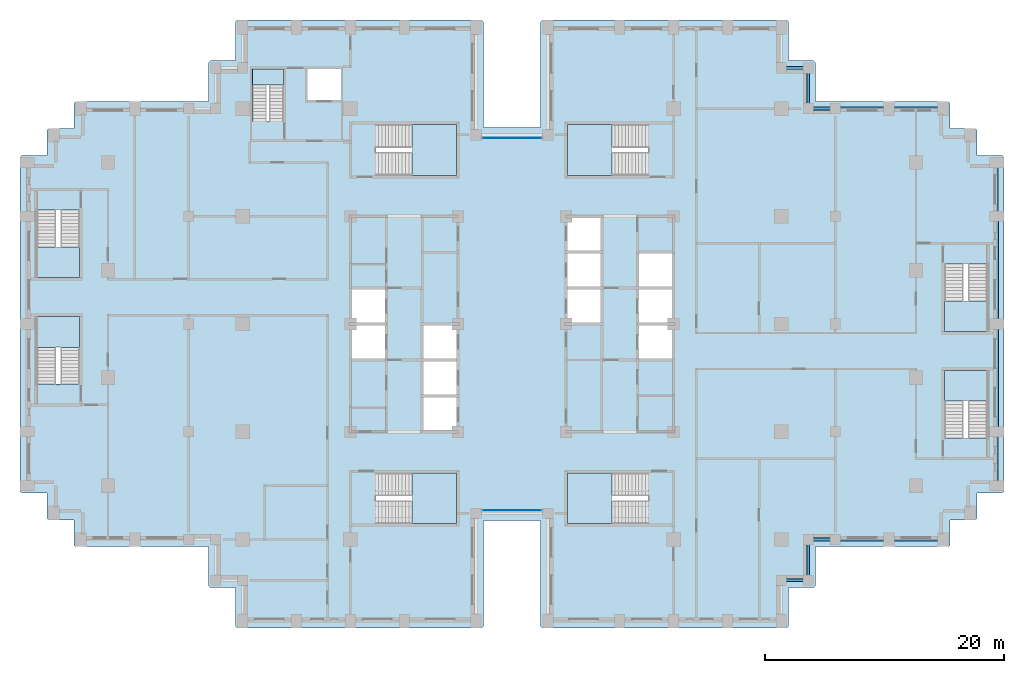
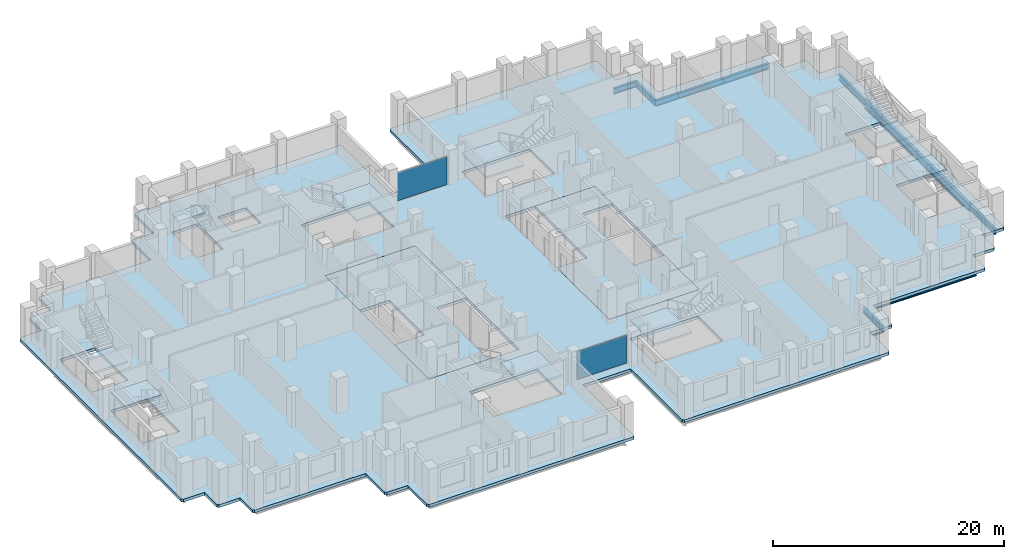
# One storey, part 5 of 16: 14 beams, 12 slabs, 2 plates, 11 elements without a shape of their own.
"""IFC4 building model written with IfcOpenShell, lengths in metres."""

import ifcopenshell
import ifcopenshell.guid

model = None  # the IFC model being written
_history = None  # IfcOwnerHistory: only IFC2X3 demands one
_inside = {}  # id of a spatial element -> (the spatial element, [elements in it])
_under = {}  # id of a project, library or spatial element -> (it, [spatial elements below it])
_declared = {}  # id of a project -> (the project, [libraries it declares])
_typed = {}  # id of a type object -> (the type object, [elements of that type])
_made_of = {}  # id of a material, layer set ... -> (it, [elements and type objects made of it])


def new_model(schema):
    """Start an empty IFC model of exactly this schema.

    Asked for "IFC4X3", IfcOpenShell would pick the latest addendum, in which some entities
    have other attributes; the version numbers below select the first issue.
    IFC2X3 requires an IfcOwnerHistory on every rooted entity: one is made here for all.
    """
    global model, _history
    if schema == "IFC4X3":
        model = ifcopenshell.file(schema_version=(4, 3, 0, 0))
    else:
        model = ifcopenshell.file(schema=schema)
    _inside.clear()
    _under.clear()
    _declared.clear()
    _typed.clear()
    _made_of.clear()
    _history = None
    if model.schema == "IFC2X3":
        org = make("IfcOrganization", Name="unknown")
        user = make(
            "IfcPersonAndOrganization",
            ThePerson=make("IfcPerson", FamilyName="unknown"),
            TheOrganization=org,
        )
        app = make(
            "IfcApplication",
            ApplicationDeveloper=org,
            Version="unknown",
            ApplicationFullName="unknown",
            ApplicationIdentifier="unknown",
        )
        _history = make(
            "IfcOwnerHistory",
            OwningUser=user,
            OwningApplication=app,
            ChangeAction="ADDED",
            CreationDate=0,
        )
    return model


def make(cls, **values):
    """One entity of the class cls with the attributes given. An attribute that is None is left unset."""
    return model.create_entity(
        cls, **{name: value for name, value in values.items() if value is not None}
    )


def rooted(cls, **values):
    """An entity with a GlobalId (a new one), such as an element, a storey or a relation."""
    return make(cls, GlobalId=ifcopenshell.guid.new(), OwnerHistory=_history, **values)


def si_unit(unit_type, name, prefix=None):
    """IfcSIUnit, for example si_unit("LENGTHUNIT", "METRE", prefix="MILLI")."""
    return make("IfcSIUnit", UnitType=unit_type, Prefix=prefix, Name=name)


def assignment(units):
    """IfcUnitAssignment: the units of a project."""
    return None if units is None else make("IfcUnitAssignment", Units=units)


def point(xyz):
    """IfcCartesianPoint."""
    return None if xyz is None else make("IfcCartesianPoint", Coordinates=xyz)


def direction(xyz):
    """IfcDirection."""
    return None if xyz is None else make("IfcDirection", DirectionRatios=xyz)


def frame(location, z_axis=None, x_axis=None):
    """IfcAxis2Placement3D, a coordinate frame: its origin and axes. An axis left out is left unset."""
    return make(
        "IfcAxis2Placement3D",
        Location=point(location),
        Axis=direction(z_axis),
        RefDirection=direction(x_axis),
    )


def frame_2d(location, x_axis=None):
    """IfcAxis2Placement2D, a coordinate frame in the plane: its origin and x axis."""
    return make(
        "IfcAxis2Placement2D", Location=point(location), RefDirection=direction(x_axis)
    )


def origin():
    """The frame at (0, 0, 0) with its axes left unset."""
    return frame((0.0, 0.0, 0.0))


def origin_2d():
    """The frame at (0, 0) in the plane with its x axis left unset."""
    return frame_2d((0.0, 0.0))


def place(relative_to, where):
    """IfcLocalPlacement: puts the frame where relative to a parent placement (None: the world)."""
    return make(
        "IfcLocalPlacement", PlacementRelTo=relative_to, RelativePlacement=where
    )


def context(
    kind, dimensions, precision=None, world=None, true_north=None, identifier=None
):
    """IfcGeometricRepresentationContext, for example the 3D "Model" context."""
    return make(
        "IfcGeometricRepresentationContext",
        ContextIdentifier=identifier,
        ContextType=kind,
        CoordinateSpaceDimension=dimensions,
        Precision=precision,
        WorldCoordinateSystem=world,
        TrueNorth=true_north,
    )


def subcontext(parent, identifier, kind, view, scale=None):
    """IfcGeometricRepresentationSubContext, for example "Body" below "Model"."""
    return make(
        "IfcGeometricRepresentationSubContext",
        ContextIdentifier=identifier,
        ContextType=kind,
        ParentContext=parent,
        TargetScale=scale,
        TargetView=view,
    )


def project(units=None, contexts=None):
    """IfcProject with its units and contexts."""
    return rooted(
        "IfcProject",
        Name="project",
        RepresentationContexts=contexts,
        UnitsInContext=assignment(units),
    )


def spatial(cls, under=None, at=None, **own):
    """A site, building, storey or space (cls), placed at a placement, below another one or the project."""
    s = rooted(cls, ObjectPlacement=at, **own)
    if under is not None:
        _under.setdefault(under.id(), (under, []))[1].append(s)
    return s


def polyline(points):
    """IfcPolyline through the points."""
    return make("IfcPolyline", Points=[point(p) for p in points])


def profile(cls, at=None, kind="AREA", **sizes):
    """A parametric profile (cls). Its sizes go by their IFC names, for example OverallWidth=200.0."""
    return make(cls, ProfileType=kind, Position=at, **sizes)


def rectangle(**sizes):
    """IfcRectangleProfileDef."""
    return profile("IfcRectangleProfileDef", **sizes)


def i_section(**sizes):
    """IfcIShapeProfileDef."""
    return profile("IfcIShapeProfileDef", **sizes)


def outline(outer, holes=None, kind="AREA"):
    """IfcArbitraryClosedProfileDef: a profile drawn as a closed curve; with holes, ...WithVoids."""
    if holes is None:
        return make("IfcArbitraryClosedProfileDef", ProfileType=kind, OuterCurve=outer)
    return make(
        "IfcArbitraryProfileDefWithVoids",
        ProfileType=kind,
        OuterCurve=outer,
        InnerCurves=holes,
    )


def extrude(swept, where, along, depth):
    """IfcExtrudedAreaSolid: the profile swept, set in the frame where, extruded along a direction by depth."""
    return make(
        "IfcExtrudedAreaSolid",
        SweptArea=swept,
        Position=where,
        ExtrudedDirection=direction(along),
        Depth=depth,
    )


def shape(context_of_items, identifier, shape_type, items):
    """IfcShapeRepresentation: the items that make up one representation, for example the "Body"."""
    return make(
        "IfcShapeRepresentation",
        ContextOfItems=context_of_items,
        RepresentationIdentifier=identifier,
        RepresentationType=shape_type,
        Items=items,
    )


def material(Name=None, Category=None):
    """IfcMaterial."""
    return make("IfcMaterial", Name=Name, Category=Category)


def layer(
    of_material, thickness, ventilated=None, Name=None, Category=None, Priority=None
):
    """IfcMaterialLayer: one layer of a wall or slab, of a material (None: an air gap)."""
    return make(
        "IfcMaterialLayer",
        Material=of_material,
        LayerThickness=thickness,
        IsVentilated=ventilated,
        Name=Name,
        Category=Category,
        Priority=Priority,
    )


def layer_set(layers, Name=None):
    """IfcMaterialLayerSet."""
    return make("IfcMaterialLayerSet", MaterialLayers=layers, LayerSetName=Name)


def material_profile(
    of_material, cross_section, Name=None, Category=None, Priority=None
):
    """IfcMaterialProfile: a cross section and its material."""
    return make(
        "IfcMaterialProfile",
        Name=Name,
        Material=of_material,
        Profile=cross_section,
        Priority=Priority,
        Category=Category,
    )


def profile_set(profiles, Name=None, composite=None):
    """IfcMaterialProfileSet."""
    return make(
        "IfcMaterialProfileSet",
        Name=Name,
        MaterialProfiles=profiles,
        CompositeProfile=composite,
    )


def made_of(thing, what):
    """Note that an element or type object is made of a material, layer set ...; save() writes the relation."""
    if what is not None:
        _made_of.setdefault(what.id(), (what, []))[1].append(thing)
    return thing


def type_object(cls, material=None, **own):
    """A type object (cls), such as IfcWallType, which elements share."""
    return made_of(rooted(cls, **own), material)


def element(
    cls,
    number,
    at=None,
    inside=None,
    cuts=None,
    type_object=None,
    material=None,
    context=None,
    identifier="Body",
    shape_type=None,
    held_by="IfcProductDefinitionShape",
    body=None,
    shapes=None,
    **own,
):
    """One element of the class cls, such as IfcWall. Its Tag is "e" and its number.

    at: its placement. inside: the storey or other place that contains it. cuts: it is an
    opening in that element (IfcRelVoidsElement). A single representation is given by context,
    identifier, shape_type and body (its items); several are given by shapes. held_by: the class
    of the entity that holds the representations. save() writes the other relations.
    """
    e = rooted(cls, Tag="e%d" % number, ObjectPlacement=at, **own)
    if body is not None:
        shapes = [shape(context, identifier, shape_type, body)]
    if shapes is not None:
        e.Representation = make(held_by, Representations=shapes)
    if inside is not None:
        _inside.setdefault(inside.id(), (inside, []))[1].append(e)
    if cuts is not None:
        rooted(
            "IfcRelVoidsElement", RelatingBuildingElement=cuts, RelatedOpeningElement=e
        )
    if type_object is not None:
        _typed.setdefault(type_object.id(), (type_object, []))[1].append(e)
    return made_of(e, material)


def aggregate(whole, parts):
    """IfcRelAggregates: a whole, such as a stair, and the parts it consists of."""
    return rooted("IfcRelAggregates", RelatingObject=whole, RelatedObjects=parts)


def save(model, path):
    """Write the relations noted so far, then the file.

    IfcRelAggregates (storeys below a building ...), IfcRelContainedInSpatialStructure (elements
    in a storey), IfcRelDefinesByType, IfcRelAssociatesMaterial and IfcRelDeclares: one each for
    every whole, place, type object, material and project.
    """
    for whole, parts in _under.values():
        aggregate(whole, parts)
    for where, things in _inside.values():
        rooted(
            "IfcRelContainedInSpatialStructure",
            RelatedElements=things,
            RelatingStructure=where,
        )
    for kind, things in _typed.values():
        rooted("IfcRelDefinesByType", RelatedObjects=things, RelatingType=kind)
    for what, things in _made_of.values():
        rooted("IfcRelAssociatesMaterial", RelatedObjects=things, RelatingMaterial=what)
    for by, libraries in _declared.values():
        rooted("IfcRelDeclares", RelatingContext=by, RelatedDefinitions=libraries)
    model.write(path)


model = new_model("IFC4")

# Units and contexts
model_context = context("Model", 3, precision=1e-05, world=origin(), true_north=direction((0.0, 1.0)))
body_context = subcontext(model_context, "Body", "Model", "MODEL_VIEW")
ifc_project = project(units=[si_unit("LENGTHUNIT", "METRE"), si_unit("AREAUNIT", "SQUARE_METRE"), si_unit("VOLUMEUNIT", "CUBIC_METRE"), si_unit("PLANEANGLEUNIT", "RADIAN"), si_unit("MASSUNIT", "GRAM", prefix="KILO")], contexts=[model_context])

# Site, building, storey
site_placement = place(None, origin())
site = spatial("IfcSite", under=ifc_project, at=site_placement, CompositionType="ELEMENT")
building_placement = place(site_placement, origin())
building = spatial("IfcBuilding", under=site, at=building_placement, Name="Corbelhall Arena Tower", CompositionType="ELEMENT")
storey_placement = place(building_placement, frame((0.0, 0.0, 76.0)))
storey = spatial("IfcBuildingStorey", under=building, at=storey_placement, Name="L11", CompositionType="ELEMENT", Elevation=76.0)

# Beams
ifc_material_1 = material(Name="Steel ASTM A992 Gr50", Category="steel")
ifc_material_profile_1 = material_profile(ifc_material_1, i_section(OverallWidth=0.23046875, OverallDepth=0.6171875, WebThickness=0.01318359375, FlangeThickness=0.022216796875, at=origin_2d()))
ifc_profile_set_1 = profile_set([ifc_material_profile_1], Name="Steel ASTM A992 Gr50")
beam_type_1 = type_object("IfcBeamType", Name="ST-SPANDREL-W24x94", PredefinedType="SPANDREL", material=ifc_profile_set_1)
for number, where, z_axis, x_axis, name in (
    (1, (40.5, 13.5, -0.608642578125), (0.0, -1.0, 0.0), (1.0, 0.0, 0.0), "Beam SP 10"),
    (2, (40.5, -9.0, -0.608642578125), (0.0, -1.0, 0.0), (1.0, 0.0, 0.0), "Beam SP 11"),
    (3, (31.5, 18.0, -0.608642578125), (1.0, 0.0, 0.0), (0.0, 1.0, 0.0), "Beam SP 12"),
    (4, (31.5, -18.0, -0.608642578125), (-1.0, 0.0, 0.0), (0.0, -1.0, 0.0), "Beam SP 13"),
    (5, (36.0, -18.0, -0.608642578125), (-1.0, 0.0, 0.0), (0.0, -1.0, 0.0), "Beam SP 14"),
    (6, (27.0, 18.0, -0.608642578125), (1.0, 0.0, 0.0), (0.0, 1.0, 0.0), "Beam SP 15"),
):
    element("IfcBeam", number, at=place(storey_placement, frame(where, z_axis=z_axis, x_axis=x_axis)), inside=storey, type_object=beam_type_1, Name=name, PredefinedType="SPANDREL", context=body_context, shape_type="SweptSolid", body=[
        extrude(i_section(OverallWidth=0.23046875, OverallDepth=0.6171875, WebThickness=0.01318359375, FlangeThickness=0.022216796875, at=origin_2d()), origin(), (0.0, 0.0, 1.0), 4.5),
    ])
for number, where, z_axis, x_axis, name in (
    (7, (27.0, -18.0, -0.608642578125), (-1.0, 0.0, 0.0), (0.0, -1.0, 0.0), "Beam SP 16"),
    (8, (22.5, 21.39990234375, -0.608642578125), (1.0, 0.0, 0.0), (0.0, 1.0, 0.0), "Beam SP 43"),
):
    element("IfcBeam", number, at=place(storey_placement, frame(where, z_axis=z_axis, x_axis=x_axis)), inside=storey, type_object=beam_type_1, Name=name, PredefinedType="SPANDREL", context=body_context, shape_type="SweptSolid", body=[
        extrude(i_section(OverallWidth=0.23046875, OverallDepth=0.6171875, WebThickness=0.01318359375, FlangeThickness=0.022216796875, at=origin_2d()), origin(), (0.0, 0.0, 1.0), 2.25),
    ])
beam_1_placement = place(storey_placement, frame((24.75, 21.39990234375, -0.608642578125), z_axis=(0.0, -1.0, 0.0), x_axis=(1.0, 0.0, 0.0)))
element("IfcBeam", 9, at=beam_1_placement, inside=storey, type_object=beam_type_1, Name="Beam SP 44", PredefinedType="SPANDREL", context=body_context, shape_type="SweptSolid", body=[
    extrude(i_section(OverallWidth=0.23046875, OverallDepth=0.6171875, WebThickness=0.01318359375, FlangeThickness=0.022216796875, at=origin_2d()), origin(), (0.0, 0.0, 1.0), 3.39990234375),
])
for number, where, z_axis, x_axis, name in (
    (10, (24.75, 18.0, -0.608642578125), (1.0, 0.0, 0.0), (0.0, 1.0, 0.0), "Beam SP 45"),
    (11, (24.75, -21.39990234375, -0.608642578125), (-1.0, 0.0, 0.0), (0.0, -1.0, 0.0), "Beam SP 50"),
):
    element("IfcBeam", number, at=place(storey_placement, frame(where, z_axis=z_axis, x_axis=x_axis)), inside=storey, type_object=beam_type_1, Name=name, PredefinedType="SPANDREL", context=body_context, shape_type="SweptSolid", body=[
        extrude(i_section(OverallWidth=0.23046875, OverallDepth=0.6171875, WebThickness=0.01318359375, FlangeThickness=0.022216796875, at=origin_2d()), origin(), (0.0, 0.0, 1.0), 2.25),
    ])
beam_2_placement = place(storey_placement, frame((24.75, -18.0, -0.608642578125), z_axis=(0.0, -1.0, 0.0), x_axis=(1.0, 0.0, 0.0)))
element("IfcBeam", 12, at=beam_2_placement, inside=storey, type_object=beam_type_1, Name="Beam SP 51", PredefinedType="SPANDREL", context=body_context, shape_type="SweptSolid", body=[
    extrude(i_section(OverallWidth=0.23046875, OverallDepth=0.6171875, WebThickness=0.01318359375, FlangeThickness=0.022216796875, at=origin_2d()), origin(), (0.0, 0.0, 1.0), 3.39990234375),
])
ifc_material_profile_2 = material_profile(ifc_material_1, i_section(OverallWidth=0.2919921875, OverallDepth=0.845703125, WebThickness=0.015380859375, FlangeThickness=0.0244140625, at=origin_2d()))
ifc_profile_set_2 = profile_set([ifc_material_profile_2], Name="Steel ASTM A992 Gr50")
beam_type_2 = type_object("IfcBeamType", Name="ST-SPANDREL-W33x141", PredefinedType="SPANDREL", material=ifc_profile_set_2)
for number, where, z_axis, x_axis, name in (
    (13, (40.5, 0.0, -0.722900390625), (0.0, -1.0, 0.0), (1.0, 0.0, 0.0), "Beam SP 8"),
    (14, (40.5, 9.0, -0.722900390625), (0.0, -1.0, 0.0), (1.0, 0.0, 0.0), "Beam SP 9"),
):
    element("IfcBeam", number, at=place(storey_placement, frame(where, z_axis=z_axis, x_axis=x_axis)), inside=storey, type_object=beam_type_2, Name=name, PredefinedType="SPANDREL", context=body_context, shape_type="SweptSolid", body=[
        extrude(i_section(OverallWidth=0.2919921875, OverallDepth=0.845703125, WebThickness=0.015380859375, FlangeThickness=0.0244140625, at=origin_2d()), origin(), (0.0, 0.0, 1.0), 9.0),
    ])

# Curtain wall, plate
ifc_material_2 = material(Name="Aluminium black anodised", Category="aluminium")
ifc_layer_1 = layer(ifc_material_2, 0.199951171875)
ifc_layer_set_1 = layer_set([ifc_layer_1], Name="EV-CW1 Slot back wall")
curtain_wall_type = type_object("IfcCurtainWallType", Name="EV-CW1 Slot back wall", PredefinedType="NOTDEFINED", material=ifc_layer_set_1)
curtain_wall_1_placement = place(storey_placement, origin())
curtain_wall_1 = element("IfcCurtainWall", 15, at=curtain_wall_1_placement, inside=storey, type_object=curtain_wall_type, Name="Curtain wall CW1", PredefinedType="NOTDEFINED")
ifc_material_3 = material(Name="Glass dark tinted laminated", Category="glass")
ifc_layer_2 = layer(ifc_material_3, 0.028076171875)
ifc_layer_set_2 = layer_set([ifc_layer_2], Name="EV-CW1-PANEL")
plate_type = type_object("IfcPlateType", Name="EV-CW1-PANEL", PredefinedType="CURTAIN_PANEL", material=ifc_layer_set_2)
plate_1_placement = place(storey_placement, frame((0.0, -15.550048828125, 0.0751953125), z_axis=(0.0, 0.0, 1.0), x_axis=(1.0, 0.0, 0.0)))
plate_1 = element("IfcPlate", 16, at=plate_1_placement, type_object=plate_type, Name="CW1 panel 1.1", PredefinedType="CURTAIN_PANEL", context=body_context, shape_type="SweptSolid", body=[
    extrude(rectangle(XDim=4.949951171875, YDim=0.028076171875, at=origin_2d()), origin(), (0.0, 0.0, 1.0), 2.949951171875),
])
aggregate(curtain_wall_1, [plate_1])

curtain_wall_2_placement = place(storey_placement, origin())
curtain_wall_2 = element("IfcCurtainWall", 17, at=curtain_wall_2_placement, inside=storey, type_object=curtain_wall_type, Name="Curtain wall CW1", PredefinedType="NOTDEFINED")
plate_2_placement = place(storey_placement, frame((0.0, 15.550048828125, 0.0751953125), z_axis=(0.0, 0.0, 1.0), x_axis=(-1.0, 0.0, 0.0)))
plate_2 = element("IfcPlate", 18, at=plate_2_placement, type_object=plate_type, Name="CW1 panel 1.1", PredefinedType="CURTAIN_PANEL", context=body_context, shape_type="SweptSolid", body=[
    extrude(rectangle(XDim=4.949951171875, YDim=0.028076171875, at=origin_2d()), origin(), (0.0, 0.0, 1.0), 2.949951171875),
])
aggregate(curtain_wall_2, [plate_2])

# Slabs
ifc_material_4 = material(Name="Concrete C40/50", Category="concrete")
ifc_layer_3 = layer(ifc_material_4, 0.300048828125)
ifc_layer_set_3 = layer_set([ifc_layer_3], Name="IN-SL-CORE")
slab_type_1 = type_object("IfcSlabType", Name="IN-SL-CORE", PredefinedType="FLOOR", material=ifc_layer_set_3)
slab_1_placement = place(storey_placement, frame((0.0, 0.0, -0.300048828125)))
element("IfcSlab", 19, at=slab_1_placement, inside=storey, type_object=slab_type_1, Name="Core floor W", PredefinedType="FLOOR", context=body_context, shape_type="SweptSolid", body=[
    extrude(outline(polyline([(-7.5, 0.0), (-4.5, 0.0), (-4.5, 9.0), (-13.5, 9.0), (-13.5, 3.0), (-10.5, 3.0), (-10.5, 0.0), (-10.5, -3.0), (-13.5, -3.0), (-13.5, -9.0), (-7.5, -9.0), (-7.5, -6.0), (-7.5, -3.0), (-7.5, 0.0)])), origin(), (0.0, 0.0, 1.0), 0.300048828125),
])
slab_2_placement = place(storey_placement, frame((0.0, 0.0, -0.300048828125)))
element("IfcSlab", 20, at=slab_2_placement, inside=storey, type_object=slab_type_1, Name="Core floor E", PredefinedType="FLOOR", context=body_context, shape_type="SweptSolid", body=[
    extrude(outline(polyline([(7.5, 0.0), (4.5, 0.0), (4.5, -9.0), (13.5, -9.0), (13.5, -3.0), (10.5, -3.0), (10.5, 0.0), (10.5, 3.0), (10.5, 6.0), (13.5, 6.0), (13.5, 9.0), (7.5, 9.0), (7.5, 6.0), (7.5, 3.0), (7.5, 0.0)])), origin(), (0.0, 0.0, 1.0), 0.300048828125),
])

# Stair, slab
stair_type = type_object("IfcStairType", Name="IN-ST-TOWER", PredefinedType="HALF_TURN_STAIR", material=ifc_material_4)
stair_1_placement = place(storey_placement, origin())
stair_1 = element("IfcStair", 21, at=stair_1_placement, inside=storey, type_object=stair_type, Name="L11 Exit stair ST1", PredefinedType="HALF_TURN_STAIR")
ifc_layer_4 = layer(ifc_material_4, 0.199951171875)
ifc_layer_set_4 = layer_set([ifc_layer_4], Name="IN-SL-LANDING")
slab_type_2 = type_object("IfcSlabType", Name="IN-SL-LANDING", PredefinedType="LANDING", material=ifc_layer_set_4)
slab_3_placement = place(storey_placement, frame((0.0, 0.0, 1.800048828125)))
slab_3 = element("IfcSlab", 22, at=slab_3_placement, type_object=slab_type_2, Name="ST1 landing 1", PredefinedType="LANDING", context=body_context, shape_type="SweptSolid", body=[
    extrude(outline(polyline([(-8.344970703125, 12.425048828125), (-4.625, 12.425048828125), (-4.625, 16.675048828125), (-8.344970703125, 16.675048828125), (-8.344970703125, 12.425048828125)])), origin(), (0.0, 0.0, 1.0), 0.199951171875),
])
aggregate(stair_1, [slab_3])

stair_2_placement = place(storey_placement, origin())
stair_2 = element("IfcStair", 23, at=stair_2_placement, inside=storey, type_object=stair_type, Name="L11 Exit stair ST2", PredefinedType="HALF_TURN_STAIR")
slab_4_placement = place(storey_placement, frame((0.0, 0.0, 1.800048828125)))
slab_4 = element("IfcSlab", 24, at=slab_4_placement, type_object=slab_type_2, Name="ST2 landing 1", PredefinedType="LANDING", context=body_context, shape_type="SweptSolid", body=[
    extrude(outline(polyline([(-8.344970703125, -16.675048828125), (-4.625, -16.675048828125), (-4.625, -12.425048828125), (-8.344970703125, -12.425048828125), (-8.344970703125, -16.675048828125)])), origin(), (0.0, 0.0, 1.0), 0.199951171875),
])
aggregate(stair_2, [slab_4])

stair_3_placement = place(storey_placement, origin())
stair_3 = element("IfcStair", 25, at=stair_3_placement, inside=storey, type_object=stair_type, Name="L11 Exit stair ST3", PredefinedType="HALF_TURN_STAIR")
slab_5_placement = place(storey_placement, frame((0.0, 0.0, 1.800048828125)))
slab_5 = element("IfcSlab", 26, at=slab_5_placement, type_object=slab_type_2, Name="ST3 landing 1", PredefinedType="LANDING", context=body_context, shape_type="SweptSolid", body=[
    extrude(outline(polyline([(8.344970703125, 16.675048828125), (4.625, 16.675048828125), (4.625, 12.425048828125), (8.344970703125, 12.425048828125), (8.344970703125, 16.675048828125)])), origin(), (0.0, 0.0, 1.0), 0.199951171875),
])
aggregate(stair_3, [slab_5])

stair_4_placement = place(storey_placement, origin())
stair_4 = element("IfcStair", 27, at=stair_4_placement, inside=storey, type_object=stair_type, Name="L11 Exit stair ST4", PredefinedType="HALF_TURN_STAIR")
slab_6_placement = place(storey_placement, frame((0.0, 0.0, 1.800048828125)))
slab_6 = element("IfcSlab", 28, at=slab_6_placement, type_object=slab_type_2, Name="ST4 landing 1", PredefinedType="LANDING", context=body_context, shape_type="SweptSolid", body=[
    extrude(outline(polyline([(8.344970703125, -12.425048828125), (4.625, -12.425048828125), (4.625, -16.675048828125), (8.344970703125, -16.675048828125), (8.344970703125, -12.425048828125)])), origin(), (0.0, 0.0, 1.0), 0.199951171875),
])
aggregate(stair_4, [slab_6])

stair_5_placement = place(storey_placement, origin())
stair_5 = element("IfcStair", 29, at=stair_5_placement, inside=storey, type_object=stair_type, Name="L11 Exit stair SC1", PredefinedType="HALF_TURN_STAIR")
slab_7_placement = place(storey_placement, frame((0.0, 0.0, 1.800048828125)))
slab_7 = element("IfcSlab", 30, at=slab_7_placement, type_object=slab_type_2, Name="SC1 landing 1", PredefinedType="LANDING", context=body_context, shape_type="SweptSolid", body=[
    extrude(outline(polyline([(-39.699951171875, 6.445068359375), (-39.699951171875, 3.875), (-36.125, 3.875), (-36.125, 6.445068359375), (-39.699951171875, 6.445068359375)])), origin(), (0.0, 0.0, 1.0), 0.199951171875),
])
aggregate(stair_5, [slab_7])

stair_6_placement = place(storey_placement, origin())
stair_6 = element("IfcStair", 31, at=stair_6_placement, inside=storey, type_object=stair_type, Name="L11 Exit stair SC2", PredefinedType="HALF_TURN_STAIR")
slab_8_placement = place(storey_placement, frame((0.0, 0.0, 1.800048828125)))
slab_8 = element("IfcSlab", 32, at=slab_8_placement, type_object=slab_type_2, Name="SC2 landing 1", PredefinedType="LANDING", context=body_context, shape_type="SweptSolid", body=[
    extrude(outline(polyline([(-36.125, -1.945068359375), (-36.125, 0.625), (-39.699951171875, 0.625), (-39.699951171875, -1.945068359375), (-36.125, -1.945068359375)])), origin(), (0.0, 0.0, 1.0), 0.199951171875),
])
aggregate(stair_6, [slab_8])

stair_7_placement = place(storey_placement, origin())
stair_7 = element("IfcStair", 33, at=stair_7_placement, inside=storey, type_object=stair_type, Name="L11 Exit stair SD1", PredefinedType="HALF_TURN_STAIR")
slab_9_placement = place(storey_placement, frame((0.0, 0.0, 1.800048828125)))
slab_9 = element("IfcSlab", 34, at=slab_9_placement, type_object=slab_type_2, Name="SD1 landing 1", PredefinedType="LANDING", context=body_context, shape_type="SweptSolid", body=[
    extrude(outline(polyline([(39.699951171875, -6.445068359375), (39.699951171875, -3.875), (36.125, -3.875), (36.125, -6.445068359375), (39.699951171875, -6.445068359375)])), origin(), (0.0, 0.0, 1.0), 0.199951171875),
])
aggregate(stair_7, [slab_9])

stair_8_placement = place(storey_placement, origin())
stair_8 = element("IfcStair", 35, at=stair_8_placement, inside=storey, type_object=stair_type, Name="L11 Exit stair SD2", PredefinedType="HALF_TURN_STAIR")
slab_10_placement = place(storey_placement, frame((0.0, 0.0, 1.800048828125)))
slab_10 = element("IfcSlab", 36, at=slab_10_placement, type_object=slab_type_2, Name="SD2 landing 1", PredefinedType="LANDING", context=body_context, shape_type="SweptSolid", body=[
    extrude(outline(polyline([(36.125, 1.945068359375), (36.125, -0.625), (39.699951171875, -0.625), (39.699951171875, 1.945068359375), (36.125, 1.945068359375)])), origin(), (0.0, 0.0, 1.0), 0.199951171875),
])
aggregate(stair_8, [slab_10])

stair_9_placement = place(storey_placement, origin())
stair_9 = element("IfcStair", 37, at=stair_9_placement, inside=storey, type_object=stair_type, Name="L11 Exit stair ST5", PredefinedType="HALF_TURN_STAIR")
slab_11_placement = place(storey_placement, frame((0.0, 0.0, 1.800048828125)))
slab_11 = element("IfcSlab", 38, at=slab_11_placement, type_object=slab_type_2, Name="ST5 landing 1", PredefinedType="LANDING", context=body_context, shape_type="SweptSolid", body=[
    extrude(outline(polyline([(-19.094970703125, 19.97998046875), (-19.094970703125, 21.300048828125), (-21.695068359375, 21.300048828125), (-21.695068359375, 19.97998046875), (-19.094970703125, 19.97998046875)])), origin(), (0.0, 0.0, 1.0), 0.199951171875),
])
aggregate(stair_9, [slab_11])

# Slab
ifc_layer_5 = layer(ifc_material_4, 0.300048828125)
ifc_layer_set_5 = layer_set([ifc_layer_5], Name="ST-SLAB-FLOOR-300")
slab_type_3 = type_object("IfcSlabType", Name="ST-SLAB-FLOOR-300", PredefinedType="FLOOR", material=ifc_layer_set_5)
slab_12_placement = place(storey_placement, frame((0.0, 0.0, -0.300048828125)))
element("IfcSlab", 39, at=slab_12_placement, inside=storey, type_object=slab_type_3, Name="Floor slab L11 1", PredefinedType="FLOOR", context=body_context, shape_type="SweptSolid", body=[
    extrude(outline(polyline([(25.35009765625, 18.60009765625), (25.35009765625, 21.85009765625), (25.199951171875, 22.0), (23.10009765625, 22.0), (23.10009765625, 25.25), (22.949951171875, 25.39990234375), (2.550048828125, 25.39990234375), (2.39990234375, 25.25), (2.39990234375, 16.39990234375), (-2.39990234375, 16.39990234375), (-2.39990234375, 25.25), (-2.550048828125, 25.39990234375), (-22.949951171875, 25.39990234375), (-23.10009765625, 25.25), (-23.10009765625, 22.0), (-25.199951171875, 22.0), (-25.35009765625, 21.85009765625), (-25.35009765625, 18.60009765625), (-36.449951171875, 18.60009765625), (-36.60009765625, 18.449951171875), (-36.60009765625, 16.35009765625), (-38.699951171875, 16.35009765625), (-38.85009765625, 16.199951171875), (-38.85009765625, 14.10009765625), (-40.949951171875, 14.10009765625), (-41.10009765625, 13.949951171875), (-41.10009765625, -13.949951171875), (-40.949951171875, -14.10009765625), (-38.85009765625, -14.10009765625), (-38.85009765625, -16.199951171875), (-38.699951171875, -16.35009765625), (-36.60009765625, -16.35009765625), (-36.60009765625, -18.449951171875), (-36.449951171875, -18.60009765625), (-25.35009765625, -18.60009765625), (-25.35009765625, -21.85009765625), (-25.199951171875, -22.0), (-23.10009765625, -22.0), (-23.10009765625, -25.25), (-22.949951171875, -25.39990234375), (-2.550048828125, -25.39990234375), (-2.39990234375, -25.25), (-2.39990234375, -16.39990234375), (2.39990234375, -16.39990234375), (2.39990234375, -25.25), (2.550048828125, -25.39990234375), (22.949951171875, -25.39990234375), (23.10009765625, -25.25), (23.10009765625, -22.0), (25.199951171875, -22.0), (25.35009765625, -21.85009765625), (25.35009765625, -18.60009765625), (36.449951171875, -18.60009765625), (36.60009765625, -18.449951171875), (36.60009765625, -16.35009765625), (38.699951171875, -16.35009765625), (38.85009765625, -16.199951171875), (38.85009765625, -14.10009765625), (40.949951171875, -14.10009765625), (41.10009765625, -13.949951171875), (41.10009765625, 13.949951171875), (40.949951171875, 14.10009765625), (38.85009765625, 14.10009765625), (38.85009765625, 16.199951171875), (38.699951171875, 16.35009765625), (36.60009765625, 16.35009765625), (36.60009765625, 18.449951171875), (36.449951171875, 18.60009765625), (25.35009765625, 18.60009765625)]), holes=[polyline([(-13.5, 9.0), (-13.5, -9.0), (-4.5, -9.0), (-4.5, 9.0), (-13.5, 9.0)]), polyline([(4.5, 9.0), (4.5, -9.0), (13.5, -9.0), (13.5, 9.0), (4.5, 9.0)]), polyline([(-4.625, 16.675048828125), (-11.422119140625, 16.675048828125), (-11.422119140625, 12.425048828125), (-4.625, 12.425048828125), (-4.625, 16.675048828125)]), polyline([(-4.625, -16.675048828125), (-4.625, -12.425048828125), (-11.422119140625, -12.425048828125), (-11.422119140625, -16.675048828125), (-4.625, -16.675048828125)]), polyline([(11.422119140625, 16.675048828125), (4.625, 16.675048828125), (4.625, 12.425048828125), (11.422119140625, 12.425048828125), (11.422119140625, 16.675048828125)]), polyline([(11.422119140625, -16.675048828125), (11.422119140625, -12.425048828125), (4.625, -12.425048828125), (4.625, -16.675048828125), (11.422119140625, -16.675048828125)]), polyline([(-36.125, 3.875), (-36.125, 9.52197265625), (-39.699951171875, 9.52197265625), (-39.699951171875, 3.875), (-36.125, 3.875)]), polyline([(-36.125, 0.625), (-39.699951171875, 0.625), (-39.699951171875, -5.02197265625), (-36.125, -5.02197265625), (-36.125, 0.625)]), polyline([(39.699951171875, -9.52197265625), (39.699951171875, -3.875), (36.125, -3.875), (36.125, -9.52197265625), (39.699951171875, -9.52197265625)]), polyline([(39.699951171875, 5.02197265625), (36.125, 5.02197265625), (36.125, -0.625), (39.699951171875, -0.625), (39.699951171875, 5.02197265625)]), polyline([(-21.695068359375, 21.300048828125), (-21.695068359375, 16.903076171875), (-19.094970703125, 16.903076171875), (-19.094970703125, 21.300048828125), (-21.695068359375, 21.300048828125)]), polyline([(-14.300048828125, 21.300048828125), (-17.10009765625, 21.300048828125), (-17.10009765625, 18.699951171875), (-14.300048828125, 18.699951171875), (-14.300048828125, 21.300048828125)])]), origin(), (0.0, 0.0, 1.0), 0.300048828125),
])

save(model, "model.ifc")
